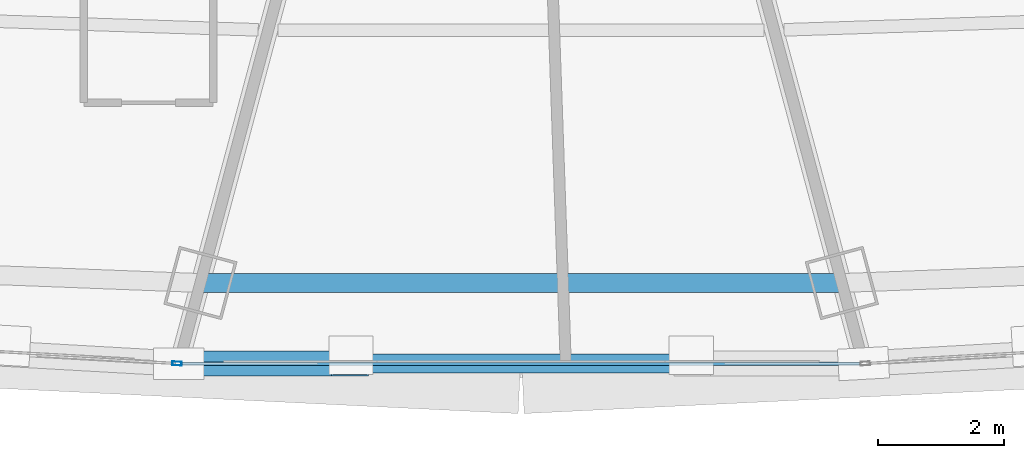
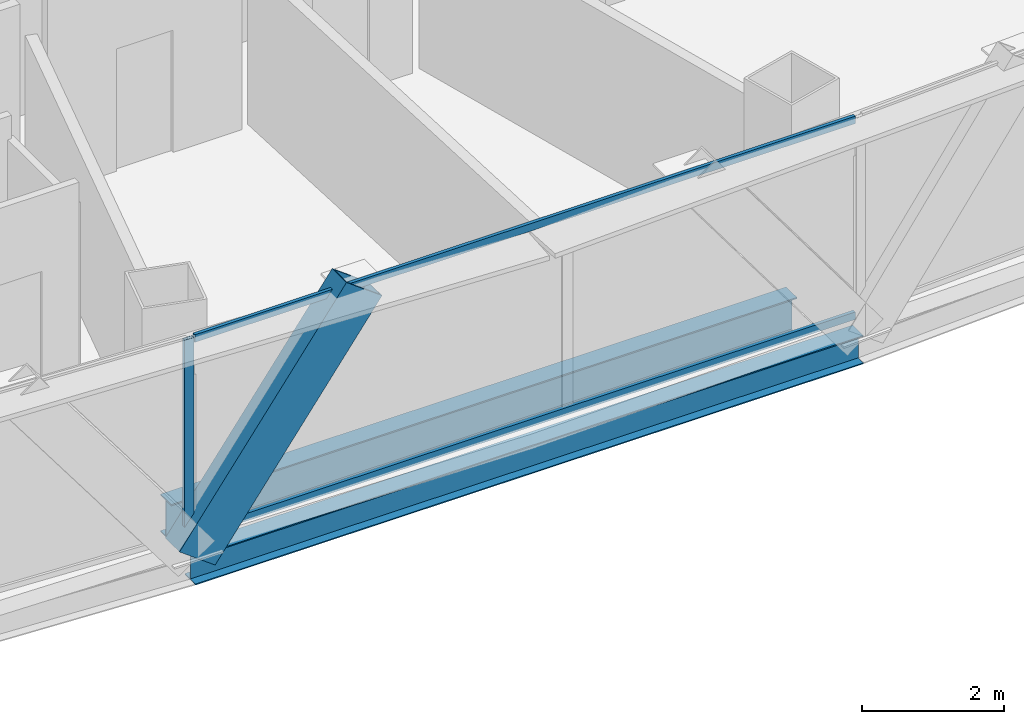
# One storey, part 10 of 40: 4 members, 2 beams, 2 elements without a shape of their own.
"""IFC4 building model written with IfcOpenShell, lengths in metres."""

from ifc_helpers import new_model, si_unit, direction, frame, origin, origin_2d, place, context, subcontext, project, spatial, hollow_rectangle, i_section, extrude, source, transform, mapped, material, layer, layer_set, material_profile, profile_set, type_object, element, aggregate, save


model = new_model("IFC4")

# Units and contexts
model_context = context("Model", 3, precision=1e-05, world=origin(), true_north=direction((0.0, 1.0)))
body_context = subcontext(model_context, "Body", "Model", "MODEL_VIEW")
ifc_project = project(units=[si_unit("LENGTHUNIT", "METRE"), si_unit("AREAUNIT", "SQUARE_METRE"), si_unit("VOLUMEUNIT", "CUBIC_METRE"), si_unit("PLANEANGLEUNIT", "RADIAN"), si_unit("MASSUNIT", "GRAM", prefix="KILO"), si_unit("THERMODYNAMICTEMPERATUREUNIT", "KELVIN"), si_unit("POWERUNIT", "WATT")], contexts=[model_context])

# Site, building, storey
site_placement = place(None, origin())
site = spatial("IfcSite", under=ifc_project, at=site_placement, CompositionType="ELEMENT")
building_placement = place(site_placement, origin())
building = spatial("IfcBuilding", under=site, at=building_placement, Name="Yunzhuo Pagoda Commons", CompositionType="ELEMENT")
storey_placement = place(building_placement, frame((0.0, 0.0, 159.27001953125)))
storey = spatial("IfcBuildingStorey", under=building, at=storey_placement, Name="L40", CompositionType="ELEMENT", Elevation=159.27001953125)

# Beams
ifc_material_1 = material(Name="Structural steel Q355B", Category="steel")
ifc_material_profile_1 = material_profile(ifc_material_1, i_section(OverallWidth=0.300048828125, OverallDepth=0.64990234375, WebThickness=0.012939453125, FlangeThickness=0.02197265625, at=origin_2d()), Name="Structural steel Q355B")
ifc_profile_set_1 = profile_set([ifc_material_profile_1], Name="Structural steel Q355B")
beam_type_1 = type_object("IfcBeamType", Name="B-RG2 Beam HN 650x300x13x22", PredefinedType="BEAM", material=ifc_profile_set_1)
shared_shape_1 = source(origin(), body_context, "Body", "SweptSolid", [
    extrude(i_section(OverallWidth=0.300048828125, OverallDepth=0.64990234375, WebThickness=0.012939453125, FlangeThickness=0.02197265625, at=origin_2d()), origin(), (0.0, 0.0, 1.0), 10.17041015625),
])
beam_1_placement = place(storey_placement, frame((42.914794921875, 14.7216796875, -0.5849609375), z_axis=(1.0, 0.0, 0.0), x_axis=(0.0, 1.0, 0.0)))
element("IfcBeam", 1, at=beam_1_placement, inside=storey, type_object=beam_type_1, Name="L40 column-ring beam 2", PredefinedType="BEAM", context=body_context, shape_type="MappedRepresentation", body=[
    mapped(shared_shape_1, transform((0.0, 0.0, 0.0), scale=1.0)),
])
ifc_material_profile_2 = material_profile(ifc_material_1, i_section(OverallWidth=0.300048828125, OverallDepth=0.488037109375, WebThickness=0.010986328125, FlangeThickness=0.01806640625, at=origin_2d()), Name="Structural steel Q355B")
ifc_profile_set_2 = profile_set([ifc_material_profile_2], Name="Structural steel Q355B")
beam_type_2 = type_object("IfcBeamType", Name="B-SP1 Beam HM 488x300x11x18", PredefinedType="BEAM", material=ifc_profile_set_2)
shared_shape_2 = source(origin(), body_context, "Body", "SweptSolid", [
    extrude(i_section(OverallWidth=0.300048828125, OverallDepth=0.488037109375, WebThickness=0.010986328125, FlangeThickness=0.01806640625, at=origin_2d()), origin(), (0.0, 0.0, 1.0), 10.85498046875),
])
beam_2_placement = place(storey_placement, frame((42.572509765625, 13.44384765625, -0.50390625), z_axis=(1.0, 0.0, 0.0), x_axis=(0.0, 1.0, 0.0)))
element("IfcBeam", 2, at=beam_2_placement, inside=storey, type_object=beam_type_2, Name="L40 facade edge spandrel beam F1.2", PredefinedType="BEAM", context=body_context, shape_type="MappedRepresentation", body=[
    mapped(shared_shape_2, transform((0.0, 0.0, 0.0), scale=1.0)),
])

# Member
ifc_material_profile_3 = material_profile(ifc_material_1, hollow_rectangle(XDim=0.39990234375, YDim=0.719970703125, WallThickness=0.02392578125, at=origin_2d()), Name="Structural steel Q355B")
ifc_profile_set_3 = profile_set([ifc_material_profile_3], Name="Structural steel Q355B")
member_type_1 = type_object("IfcMemberType", Name="M-DL2 Brace BOX 720x400x24", PredefinedType="BRACE", material=ifc_profile_set_3)
shared_shape_3 = source(origin(), body_context, "Body", "SweptSolid", [
    extrude(hollow_rectangle(XDim=0.39990234375, YDim=0.719970703125, WallThickness=0.02392578125, at=origin_2d()), origin(), (0.0, 0.0, 1.0), 4.572265625),
])
member_1_placement = place(storey_placement, frame((42.572509765625, 13.44384765625, -0.260009765625), z_axis=(0.593495886815, 0.0, 0.804837022219), x_axis=(0.0, 1.0, 0.0)))
element("IfcMember", 3, at=member_1_placement, inside=storey, type_object=member_type_1, Name="L40 facade diamond brace F1.2L", PredefinedType="BRACE", context=body_context, shape_type="MappedRepresentation", body=[
    mapped(shared_shape_3, transform((0.0, 0.0, 0.0), scale=1.0)),
])

# Curtain wall, member
ifc_material_2 = material(Name="Anodized aluminium 6063-T6", Category="aluminium")
ifc_layer = layer(ifc_material_2, 0.14990234375)
ifc_layer_set = layer_set([ifc_layer], Name="Anodized aluminium 6063-T6")
curtain_wall_type = type_object("IfcCurtainWallType", Name="CW-MID Mid-Zone Ribbon Curtain Wall", PredefinedType="NOTDEFINED", material=ifc_layer_set)
curtain_wall_1_placement = place(storey_placement, origin())
curtain_wall_1 = element("IfcCurtainWall", 4, at=curtain_wall_1_placement, inside=storey, type_object=curtain_wall_type, Name="L40 curtain wall CW-L40-F1B2", PredefinedType="NOTDEFINED")
ifc_material_profile_4 = material_profile(ifc_material_2, hollow_rectangle(XDim=0.06005859375, YDim=0.14990234375, WallThickness=0.00390625, at=origin_2d()), Name="Anodized aluminium 6063-T6")
ifc_profile_set_4 = profile_set([ifc_material_profile_4], Name="Anodized aluminium 6063-T6")
member_type_2 = type_object("IfcMemberType", Name="CW-MID-M Mullion RHS 150x60x4", PredefinedType="MULLION", material=ifc_profile_set_4)
shared_shape_4 = source(origin(), body_context, "Body", "SweptSolid", [
    extrude(hollow_rectangle(XDim=0.06005859375, YDim=0.14990234375, WallThickness=0.00390625, at=origin_2d()), origin(), (0.0, 0.0, 1.0), 3.419677734375),
])
member_2_placement = place(storey_placement, frame((42.542724609375, 13.445556640625, 0.000244140625), z_axis=(0.0, 0.0, 1.0), x_axis=(0.056459249567, 0.998404904404, 0.0)))
member_2 = element("IfcMember", 5, at=member_2_placement, type_object=member_type_2, Name="CW mullion 2", PredefinedType="MULLION", context=body_context, shape_type="MappedRepresentation", body=[
    mapped(shared_shape_4, transform((0.0, 0.0, 0.0), scale=1.0)),
])
aggregate(curtain_wall_1, [member_2])

# Curtain wall, members
curtain_wall_2_placement = place(storey_placement, origin())
curtain_wall_2 = element("IfcCurtainWall", 6, at=curtain_wall_2_placement, inside=storey, type_object=curtain_wall_type, Name="L40 curtain wall CW-L40-F1B3", PredefinedType="NOTDEFINED")
ifc_material_profile_5 = material_profile(ifc_material_2, hollow_rectangle(XDim=0.054931640625, YDim=0.1298828125, WallThickness=0.00341796875, at=origin_2d()), Name="Anodized aluminium 6063-T6")
ifc_profile_set_5 = profile_set([ifc_material_profile_5], Name="Anodized aluminium 6063-T6")
member_type_3 = type_object("IfcMemberType", Name="CW-MID-T Transom RHS 130x55x3.5", PredefinedType="USERDEFINED", material=ifc_profile_set_5)
shared_shape_5 = source(origin(), body_context, "Body", "SweptSolid", [
    extrude(hollow_rectangle(XDim=0.054931640625, YDim=0.1298828125, WallThickness=0.00341796875, at=origin_2d()), origin(), (0.0, 0.0, 1.0), 10.7353515625),
])
member_3_placement = place(storey_placement, frame((42.63232421875, 13.44384765625, 0.027587890625), z_axis=(1.0, 0.0, 0.0), x_axis=(0.0, 1.0, 0.0)))
member_3 = element("IfcMember", 7, at=member_3_placement, type_object=member_type_3, Name="CW transom 1.1", ObjectType="TRANSOM", PredefinedType="USERDEFINED", context=body_context, shape_type="MappedRepresentation", body=[
    mapped(shared_shape_5, transform((0.0, 0.0, 0.0), scale=1.0)),
])
member_4_placement = place(storey_placement, frame((42.63232421875, 13.44384765625, 3.392578125), z_axis=(1.0, 0.0, 0.0), x_axis=(0.0, 1.0, 0.0)))
member_4 = element("IfcMember", 8, at=member_4_placement, type_object=member_type_3, Name="CW transom 1.2", ObjectType="TRANSOM", PredefinedType="USERDEFINED", context=body_context, shape_type="MappedRepresentation", body=[
    mapped(shared_shape_5, transform((0.0, 0.0, 0.0), scale=1.0)),
])
aggregate(curtain_wall_2, [member_3, member_4])

save(model, "model.ifc")
